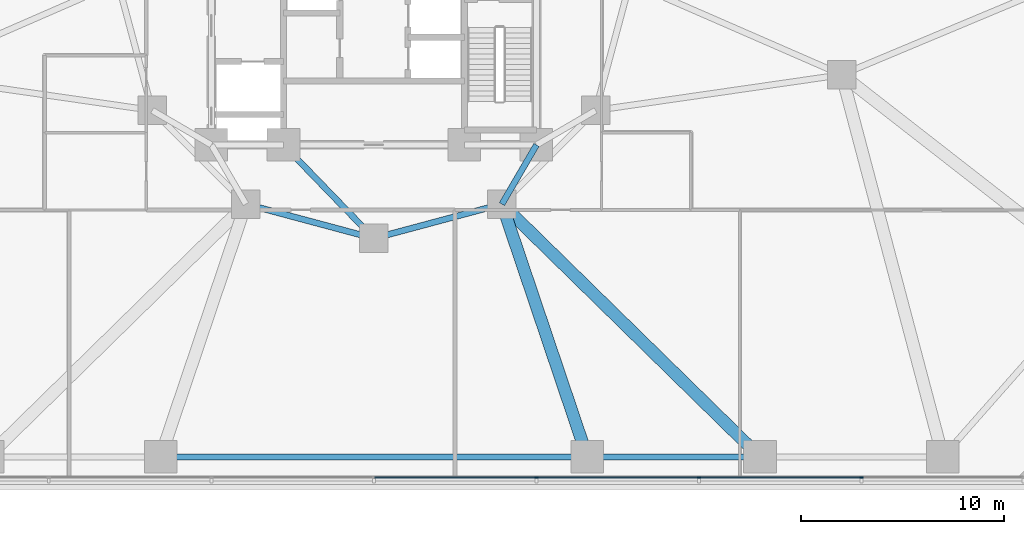
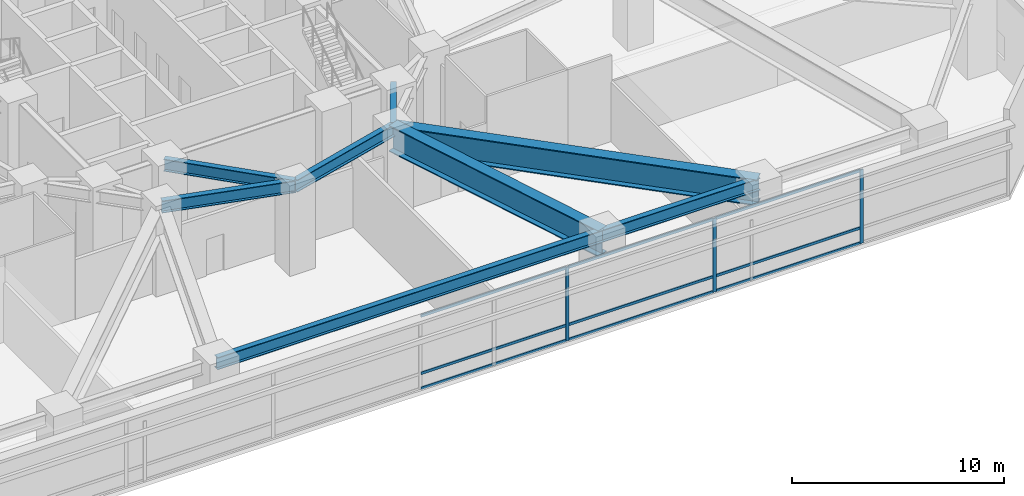
# One storey, part 7 of 28: 12 members, 8 beams, 1 element without a shape of its own.
"""IFC4 building model written with IfcOpenShell, lengths in metres."""

from ifc_helpers import new_model, si_unit, direction, frame, origin, origin_2d, place, context, subcontext, project, spatial, rectangle, i_section, extrude, material, layer, layer_set, material_profile, profile_set, type_object, element, aggregate, save


model = new_model("IFC4")

# Units and contexts
model_context = context("Model", 3, precision=1e-05, world=origin(), true_north=direction((0.0, 1.0)))
body_context = subcontext(model_context, "Body", "Model", "MODEL_VIEW")
ifc_project = project(units=[si_unit("LENGTHUNIT", "METRE"), si_unit("AREAUNIT", "SQUARE_METRE"), si_unit("VOLUMEUNIT", "CUBIC_METRE"), si_unit("PLANEANGLEUNIT", "RADIAN"), si_unit("MASSUNIT", "GRAM", prefix="KILO")], contexts=[model_context])

# Site, building, storey
site_placement = place(None, origin())
site = spatial("IfcSite", under=ifc_project, at=site_placement, CompositionType="ELEMENT")
building_placement = place(site_placement, origin())
building = spatial("IfcBuilding", under=site, at=building_placement, Name="Terralouvre Media Tower", CompositionType="ELEMENT")
storey_placement = place(building_placement, frame((0.0, 0.0, 10.39990234375)))
storey = spatial("IfcBuildingStorey", under=building, at=storey_placement, Name="L02", CompositionType="ELEMENT", Elevation=10.39990234375)

# Curtain wall, members
ifc_material_1 = material(Name="Low-iron laminated double glazing with solar-control coating", Category="glass")
ifc_layer = layer(ifc_material_1, 0.1650390625, Name="Podium Broadcast Gallery Glazing CW-01")
ifc_layer_set = layer_set([ifc_layer], Name="Low-iron laminated double glazing with solar-control coating")
curtain_wall_type = type_object("IfcCurtainWallType", Name="Podium Broadcast Gallery Glazing CW-01", PredefinedType="NOTDEFINED", material=ifc_layer_set)
curtain_wall_placement = place(storey_placement, origin())
curtain_wall = element("IfcCurtainWall", 1, at=curtain_wall_placement, inside=storey, type_object=curtain_wall_type, Name="L02 Podium Curtain Wall F0", PredefinedType="NOTDEFINED")
ifc_material_2 = material(Name="Anodised extruded aluminium 6063-T6", Category="aluminium")
ifc_material_profile_1 = material_profile(ifc_material_2, rectangle(XDim=0.074951171875, YDim=0.14990234375, at=origin_2d()), Name="ALU 75x150")
ifc_profile_set_1 = profile_set([ifc_material_profile_1], Name="Anodised extruded aluminium 6063-T6")
member_type_1 = type_object("IfcMemberType", Name="Curtain-Wall Horizontal Transom TR-150", PredefinedType="USERDEFINED", material=ifc_profile_set_1)
member_1_placement = place(storey_placement, frame((0.03759765625, -24.360107421875, 0.03759765625), z_axis=(1.0, 0.0, 0.0), x_axis=(0.0, 1.0, 0.0)))
member_1 = element("IfcMember", 2, at=member_1_placement, type_object=member_type_1, Name="CW-01 transom 5.1", ObjectType="TRANSOM", PredefinedType="USERDEFINED", context=body_context, shape_type="SweptSolid", body=[
    extrude(rectangle(XDim=0.074951171875, YDim=0.14990234375, at=origin_2d()), origin(), (0.0, 0.0, 1.0), 7.9248046875),
])
member_2_placement = place(storey_placement, frame((0.03759765625, -24.360107421875, 0.900146484375), z_axis=(1.0, 0.0, 0.0), x_axis=(0.0, 1.0, 0.0)))
member_2 = element("IfcMember", 3, at=member_2_placement, type_object=member_type_1, Name="CW-01 transom 5.2", ObjectType="TRANSOM", PredefinedType="USERDEFINED", context=body_context, shape_type="SweptSolid", body=[
    extrude(rectangle(XDim=0.074951171875, YDim=0.14990234375, at=origin_2d()), origin(), (0.0, 0.0, 1.0), 7.9248046875),
])
member_3_placement = place(storey_placement, frame((0.03759765625, -24.360107421875, 4.192626953125), z_axis=(1.0, 0.0, 0.0), x_axis=(0.0, 1.0, 0.0)))
member_3 = element("IfcMember", 4, at=member_3_placement, type_object=member_type_1, Name="CW-01 transom 5.3", ObjectType="TRANSOM", PredefinedType="USERDEFINED", context=body_context, shape_type="SweptSolid", body=[
    extrude(rectangle(XDim=0.074951171875, YDim=0.14990234375, at=origin_2d()), origin(), (0.0, 0.0, 1.0), 7.9248046875),
])
member_4_placement = place(storey_placement, frame((8.03759765625, -24.360107421875, 0.03759765625), z_axis=(1.0, 0.0, 0.0), x_axis=(0.0, 1.0, 0.0)))
member_4 = element("IfcMember", 5, at=member_4_placement, type_object=member_type_1, Name="CW-01 transom 6.1", ObjectType="TRANSOM", PredefinedType="USERDEFINED", context=body_context, shape_type="SweptSolid", body=[
    extrude(rectangle(XDim=0.074951171875, YDim=0.14990234375, at=origin_2d()), origin(), (0.0, 0.0, 1.0), 7.9248046875),
])
member_5_placement = place(storey_placement, frame((8.03759765625, -24.360107421875, 0.900146484375), z_axis=(1.0, 0.0, 0.0), x_axis=(0.0, 1.0, 0.0)))
member_5 = element("IfcMember", 6, at=member_5_placement, type_object=member_type_1, Name="CW-01 transom 6.2", ObjectType="TRANSOM", PredefinedType="USERDEFINED", context=body_context, shape_type="SweptSolid", body=[
    extrude(rectangle(XDim=0.074951171875, YDim=0.14990234375, at=origin_2d()), origin(), (0.0, 0.0, 1.0), 7.9248046875),
])
member_6_placement = place(storey_placement, frame((8.03759765625, -24.360107421875, 4.192626953125), z_axis=(1.0, 0.0, 0.0), x_axis=(0.0, 1.0, 0.0)))
member_6 = element("IfcMember", 7, at=member_6_placement, type_object=member_type_1, Name="CW-01 transom 6.3", ObjectType="TRANSOM", PredefinedType="USERDEFINED", context=body_context, shape_type="SweptSolid", body=[
    extrude(rectangle(XDim=0.074951171875, YDim=0.14990234375, at=origin_2d()), origin(), (0.0, 0.0, 1.0), 7.9248046875),
])
member_7_placement = place(storey_placement, frame((16.03759765625, -24.360107421875, 0.03759765625), z_axis=(1.0, 0.0, 0.0), x_axis=(0.0, 1.0, 0.0)))
member_7 = element("IfcMember", 8, at=member_7_placement, type_object=member_type_1, Name="CW-01 transom 7.1", ObjectType="TRANSOM", PredefinedType="USERDEFINED", context=body_context, shape_type="SweptSolid", body=[
    extrude(rectangle(XDim=0.074951171875, YDim=0.14990234375, at=origin_2d()), origin(), (0.0, 0.0, 1.0), 7.9248046875),
])
member_8_placement = place(storey_placement, frame((16.03759765625, -24.360107421875, 0.900146484375), z_axis=(1.0, 0.0, 0.0), x_axis=(0.0, 1.0, 0.0)))
member_8 = element("IfcMember", 9, at=member_8_placement, type_object=member_type_1, Name="CW-01 transom 7.2", ObjectType="TRANSOM", PredefinedType="USERDEFINED", context=body_context, shape_type="SweptSolid", body=[
    extrude(rectangle(XDim=0.074951171875, YDim=0.14990234375, at=origin_2d()), origin(), (0.0, 0.0, 1.0), 7.9248046875),
])
member_9_placement = place(storey_placement, frame((16.03759765625, -24.360107421875, 4.192626953125), z_axis=(1.0, 0.0, 0.0), x_axis=(0.0, 1.0, 0.0)))
member_9 = element("IfcMember", 10, at=member_9_placement, type_object=member_type_1, Name="CW-01 transom 7.3", ObjectType="TRANSOM", PredefinedType="USERDEFINED", context=body_context, shape_type="SweptSolid", body=[
    extrude(rectangle(XDim=0.074951171875, YDim=0.14990234375, at=origin_2d()), origin(), (0.0, 0.0, 1.0), 7.9248046875),
])
ifc_material_3 = material(Name="Anodised extruded aluminium 6063-T6", Category="aluminium")
ifc_material_profile_2 = material_profile(ifc_material_3, rectangle(XDim=0.074951171875, YDim=0.179931640625, at=origin_2d()), Name="ALU 75x180")
ifc_profile_set_2 = profile_set([ifc_material_profile_2], Name="Anodised extruded aluminium 6063-T6")
member_type_2 = type_object("IfcMemberType", Name="Curtain-Wall Vertical Mullion ML-180", PredefinedType="MULLION", material=ifc_profile_set_2)
member_10_placement = place(storey_placement, frame((8.0, -24.360107421875, 0.0), z_axis=(0.0, 0.0, 1.0), x_axis=(0.0, 1.0, 0.0)))
member_10 = element("IfcMember", 11, at=member_10_placement, type_object=member_type_2, Name="CW-01 mullion 6", PredefinedType="MULLION", context=body_context, shape_type="SweptSolid", body=[
    extrude(rectangle(XDim=0.074951171875, YDim=0.179931640625, at=origin_2d()), origin(), (0.0, 0.0, 1.0), 4.22998046875),
])
member_11_placement = place(storey_placement, frame((16.0, -24.360107421875, 0.0), z_axis=(0.0, 0.0, 1.0), x_axis=(0.0, 1.0, 0.0)))
member_11 = element("IfcMember", 12, at=member_11_placement, type_object=member_type_2, Name="CW-01 mullion 7", PredefinedType="MULLION", context=body_context, shape_type="SweptSolid", body=[
    extrude(rectangle(XDim=0.074951171875, YDim=0.179931640625, at=origin_2d()), origin(), (0.0, 0.0, 1.0), 4.22998046875),
])
member_12_placement = place(storey_placement, frame((24.0, -24.360107421875, 0.0), z_axis=(0.0, 0.0, 1.0), x_axis=(0.0, 1.0, 0.0)))
member_12 = element("IfcMember", 13, at=member_12_placement, type_object=member_type_2, Name="CW-01 mullion 8", PredefinedType="MULLION", context=body_context, shape_type="SweptSolid", body=[
    extrude(rectangle(XDim=0.074951171875, YDim=0.179931640625, at=origin_2d()), origin(), (0.0, 0.0, 1.0), 4.22998046875),
])
aggregate(curtain_wall, [member_10, member_11, member_12, member_1, member_2, member_3, member_4, member_5, member_6, member_7, member_8, member_9])

# Beams
ifc_material_4 = material(Name="Structural steel S460M", Category="steel")
ifc_material_profile_3 = material_profile(ifc_material_4, i_section(OverallWidth=0.300048828125, OverallDepth=0.699951171875, WebThickness=0.01708984375, FlangeThickness=0.031982421875, at=origin_2d()), Name="HEB 700")
ifc_profile_set_3 = profile_set([ifc_material_profile_3], Name="Structural steel S460M")
beam_type_1 = type_object("IfcBeamType", Name="Primary Floor Girder B-HEB700 (HEB 700)", PredefinedType="BEAM", material=ifc_profile_set_3)
for number, where, z_axis, x_axis, name in (
    (14, (-6.300048828125, -10.911865234375, 4.60009765625), (0.965920481897, -0.258838989821, 0.0), (0.258838989821, 0.965920481897, 0.0), "L02 Framing Beam BM-L02-MR02"),
    (15, (0.0, -12.60009765625, 4.60009765625), (0.965920481897, 0.258838989821, 0.0), (-0.258838989821, 0.965920481897, 0.0), "L02 Framing Beam BM-L02-MR03"),
):
    element("IfcBeam", number, at=place(storey_placement, frame(where, z_axis=z_axis, x_axis=x_axis)), inside=storey, type_object=beam_type_1, Name=name, PredefinedType="BEAM", context=body_context, shape_type="SweptSolid", body=[
        extrude(i_section(OverallWidth=0.300048828125, OverallDepth=0.699951171875, WebThickness=0.01708984375, FlangeThickness=0.031982421875, at=origin_2d()), origin(), (0.0, 0.0, 1.0), 6.522216796875),
    ])
beam_1_placement = place(storey_placement, frame((-4.449951171875, -8.0, 4.60009765625), z_axis=(0.695279715726, -0.718739255155, 0.0), x_axis=(0.718739255155, 0.695279715726, 0.0)))
element("IfcBeam", 16, at=beam_1_placement, inside=storey, type_object=beam_type_1, Name="L02 Framing Beam BM-L02-CM03", PredefinedType="BEAM", context=body_context, shape_type="SweptSolid", body=[
    extrude(i_section(OverallWidth=0.300048828125, OverallDepth=0.699951171875, WebThickness=0.01708984375, FlangeThickness=0.031982421875, at=origin_2d()), origin(), (0.0, 0.0, 1.0), 6.400146484375),
])
beam_2_placement = place(storey_placement, frame((8.0, -8.0, 4.60009765625), z_axis=(-0.504172629717, -0.863602894532, 0.0), x_axis=(0.863602894532, -0.504172629717, 0.0)))
element("IfcBeam", 17, at=beam_2_placement, inside=storey, type_object=beam_type_1, Name="L02 Framing Beam BM-L02-CM04", PredefinedType="BEAM", context=body_context, shape_type="SweptSolid", body=[
    extrude(i_section(OverallWidth=0.300048828125, OverallDepth=0.699951171875, WebThickness=0.01708984375, FlangeThickness=0.031982421875, at=origin_2d()), origin(), (0.0, 0.0, 1.0), 3.371826171875),
])
beam_3_placement = place(storey_placement, frame((-10.5, -23.35009765625, 4.60009765625), z_axis=(1.0, 0.0, 0.0), x_axis=(0.0, 1.0, 0.0)))
element("IfcBeam", 18, at=beam_3_placement, inside=storey, type_object=beam_type_1, Name="L02 Framing Beam BM-L02-PR04", PredefinedType="BEAM", context=body_context, shape_type="SweptSolid", body=[
    extrude(i_section(OverallWidth=0.300048828125, OverallDepth=0.699951171875, WebThickness=0.01708984375, FlangeThickness=0.031982421875, at=origin_2d()), origin(), (0.0, 0.0, 1.0), 21.0),
])
beam_4_placement = place(storey_placement, frame((10.5, -23.35009765625, 4.60009765625), z_axis=(1.0, 0.0, 0.0), x_axis=(0.0, 1.0, 0.0)))
element("IfcBeam", 19, at=beam_4_placement, inside=storey, type_object=beam_type_1, Name="L02 Framing Beam BM-L02-PR05", PredefinedType="BEAM", context=body_context, shape_type="SweptSolid", body=[
    extrude(i_section(OverallWidth=0.300048828125, OverallDepth=0.699951171875, WebThickness=0.01708984375, FlangeThickness=0.031982421875, at=origin_2d()), origin(), (0.0, 0.0, 1.0), 8.5),
])
ifc_material_5 = material(Name="Structural steel S460M", Category="steel")
ifc_material_profile_4 = material_profile(ifc_material_5, i_section(OverallWidth=0.60009765625, OverallDepth=1.5, WebThickness=0.033935546875, FlangeThickness=0.054931640625, at=origin_2d()), Name="PG 1500x600")
ifc_profile_set_4 = profile_set([ifc_material_profile_4], Name="Structural steel S460M")
beam_type_2 = type_object("IfcBeamType", Name="Primary Floor Girder B-PG1500 (PG 1500x600)", PredefinedType="BEAM", material=ifc_profile_set_4)
beam_5_placement = place(storey_placement, frame((6.300048828125, -10.911865234375, 4.2001953125), z_axis=(0.319918670086, -0.947445008711, 0.0), x_axis=(0.947445008711, 0.319918670086, 0.0)))
element("IfcBeam", 20, at=beam_5_placement, inside=storey, type_object=beam_type_2, Name="L02 Framing Beam BM-L02-RD05", PredefinedType="BEAM", context=body_context, shape_type="SweptSolid", body=[
    extrude(i_section(OverallWidth=0.60009765625, OverallDepth=1.5, WebThickness=0.033935546875, FlangeThickness=0.054931640625, at=origin_2d()), origin(), (0.0, 0.0, 1.0), 13.128173828125),
])
beam_6_placement = place(storey_placement, frame((6.300048828125, -10.911865234375, 4.2001953125), z_axis=(0.714429895313, -0.69970702775, 0.0), x_axis=(0.69970702775, 0.714429895313, 0.0)))
element("IfcBeam", 21, at=beam_6_placement, inside=storey, type_object=beam_type_2, Name="L02 Framing Beam BM-L02-RD06", PredefinedType="BEAM", context=body_context, shape_type="SweptSolid", body=[
    extrude(i_section(OverallWidth=0.60009765625, OverallDepth=1.5, WebThickness=0.033935546875, FlangeThickness=0.054931640625, at=origin_2d()), origin(), (0.0, 0.0, 1.0), 17.7763671875),
])

save(model, "model.ifc")
